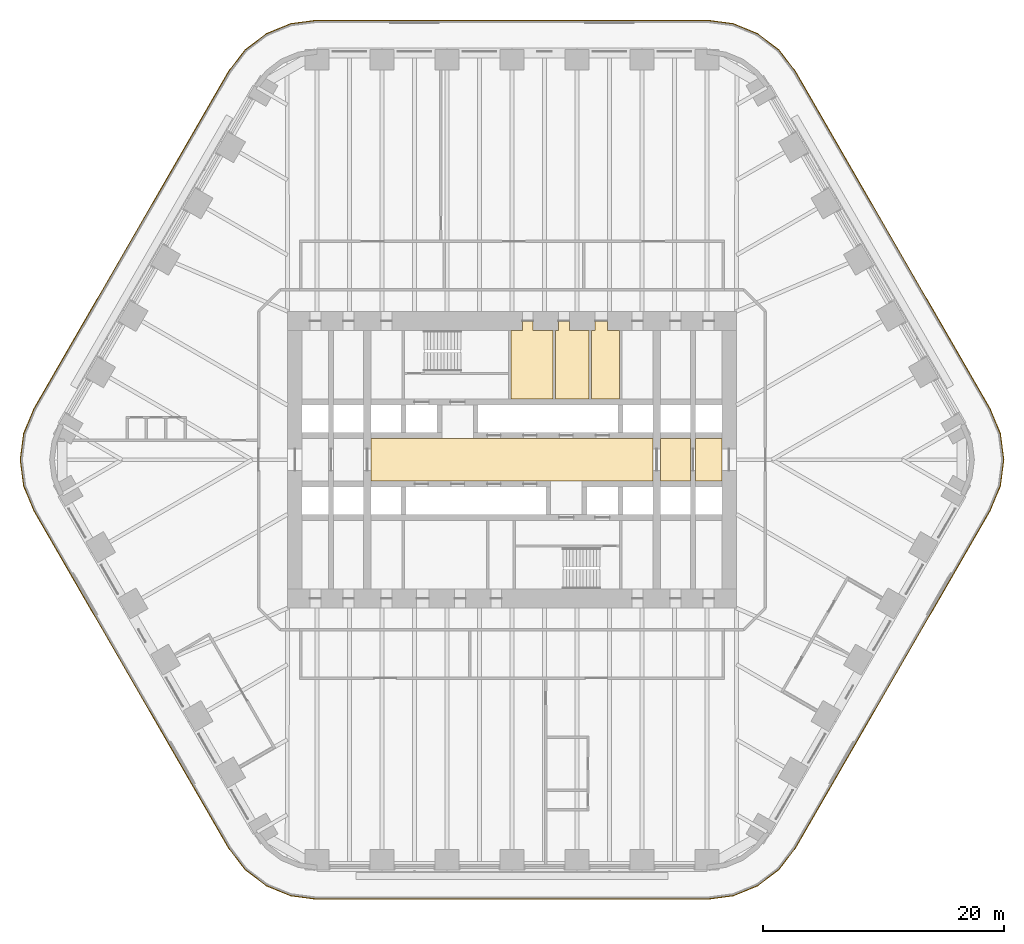
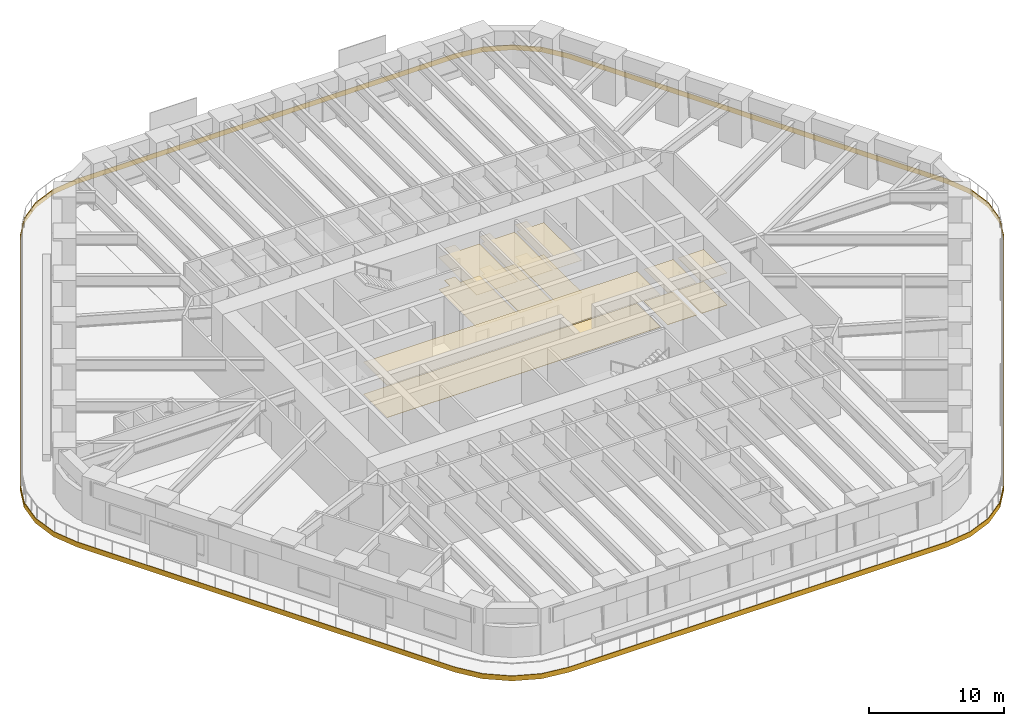
# One storey, part 22 of 23: 13 coverings.
"""IFC4 building model written with IfcOpenShell, lengths in metres."""

import ifcopenshell
import ifcopenshell.guid

model = None  # the IFC model being written
_history = None  # IfcOwnerHistory: only IFC2X3 demands one
_inside = {}  # id of a spatial element -> (the spatial element, [elements in it])
_under = {}  # id of a project, library or spatial element -> (it, [spatial elements below it])
_declared = {}  # id of a project -> (the project, [libraries it declares])
_typed = {}  # id of a type object -> (the type object, [elements of that type])
_made_of = {}  # id of a material, layer set ... -> (it, [elements and type objects made of it])


def new_model(schema):
    """Start an empty IFC model of exactly this schema.

    Asked for "IFC4X3", IfcOpenShell would pick the latest addendum, in which some entities
    have other attributes; the version numbers below select the first issue.
    IFC2X3 requires an IfcOwnerHistory on every rooted entity: one is made here for all.
    """
    global model, _history
    if schema == "IFC4X3":
        model = ifcopenshell.file(schema_version=(4, 3, 0, 0))
    else:
        model = ifcopenshell.file(schema=schema)
    _inside.clear()
    _under.clear()
    _declared.clear()
    _typed.clear()
    _made_of.clear()
    _history = None
    if model.schema == "IFC2X3":
        org = make("IfcOrganization", Name="unknown")
        user = make(
            "IfcPersonAndOrganization",
            ThePerson=make("IfcPerson", FamilyName="unknown"),
            TheOrganization=org,
        )
        app = make(
            "IfcApplication",
            ApplicationDeveloper=org,
            Version="unknown",
            ApplicationFullName="unknown",
            ApplicationIdentifier="unknown",
        )
        _history = make(
            "IfcOwnerHistory",
            OwningUser=user,
            OwningApplication=app,
            ChangeAction="ADDED",
            CreationDate=0,
        )
    return model


def make(cls, **values):
    """One entity of the class cls with the attributes given. An attribute that is None is left unset."""
    return model.create_entity(
        cls, **{name: value for name, value in values.items() if value is not None}
    )


def rooted(cls, **values):
    """An entity with a GlobalId (a new one), such as an element, a storey or a relation."""
    return make(cls, GlobalId=ifcopenshell.guid.new(), OwnerHistory=_history, **values)


def si_unit(unit_type, name, prefix=None):
    """IfcSIUnit, for example si_unit("LENGTHUNIT", "METRE", prefix="MILLI")."""
    return make("IfcSIUnit", UnitType=unit_type, Prefix=prefix, Name=name)


def assignment(units):
    """IfcUnitAssignment: the units of a project."""
    return None if units is None else make("IfcUnitAssignment", Units=units)


def point(xyz):
    """IfcCartesianPoint."""
    return None if xyz is None else make("IfcCartesianPoint", Coordinates=xyz)


def direction(xyz):
    """IfcDirection."""
    return None if xyz is None else make("IfcDirection", DirectionRatios=xyz)


def frame(location, z_axis=None, x_axis=None):
    """IfcAxis2Placement3D, a coordinate frame: its origin and axes. An axis left out is left unset."""
    return make(
        "IfcAxis2Placement3D",
        Location=point(location),
        Axis=direction(z_axis),
        RefDirection=direction(x_axis),
    )


def origin():
    """The frame at (0, 0, 0) with its axes left unset."""
    return frame((0.0, 0.0, 0.0))


def place(relative_to, where):
    """IfcLocalPlacement: puts the frame where relative to a parent placement (None: the world)."""
    return make(
        "IfcLocalPlacement", PlacementRelTo=relative_to, RelativePlacement=where
    )


def context(
    kind, dimensions, precision=None, world=None, true_north=None, identifier=None
):
    """IfcGeometricRepresentationContext, for example the 3D "Model" context."""
    return make(
        "IfcGeometricRepresentationContext",
        ContextIdentifier=identifier,
        ContextType=kind,
        CoordinateSpaceDimension=dimensions,
        Precision=precision,
        WorldCoordinateSystem=world,
        TrueNorth=true_north,
    )


def subcontext(parent, identifier, kind, view, scale=None):
    """IfcGeometricRepresentationSubContext, for example "Body" below "Model"."""
    return make(
        "IfcGeometricRepresentationSubContext",
        ContextIdentifier=identifier,
        ContextType=kind,
        ParentContext=parent,
        TargetScale=scale,
        TargetView=view,
    )


def project(units=None, contexts=None):
    """IfcProject with its units and contexts."""
    return rooted(
        "IfcProject",
        Name="project",
        RepresentationContexts=contexts,
        UnitsInContext=assignment(units),
    )


def spatial(cls, under=None, at=None, **own):
    """A site, building, storey or space (cls), placed at a placement, below another one or the project."""
    s = rooted(cls, ObjectPlacement=at, **own)
    if under is not None:
        _under.setdefault(under.id(), (under, []))[1].append(s)
    return s


def polyline(points):
    """IfcPolyline through the points."""
    return make("IfcPolyline", Points=[point(p) for p in points])


def outline(outer, holes=None, kind="AREA"):
    """IfcArbitraryClosedProfileDef: a profile drawn as a closed curve; with holes, ...WithVoids."""
    if holes is None:
        return make("IfcArbitraryClosedProfileDef", ProfileType=kind, OuterCurve=outer)
    return make(
        "IfcArbitraryProfileDefWithVoids",
        ProfileType=kind,
        OuterCurve=outer,
        InnerCurves=holes,
    )


def extrude(swept, where, along, depth):
    """IfcExtrudedAreaSolid: the profile swept, set in the frame where, extruded along a direction by depth."""
    return make(
        "IfcExtrudedAreaSolid",
        SweptArea=swept,
        Position=where,
        ExtrudedDirection=direction(along),
        Depth=depth,
    )


def shape(context_of_items, identifier, shape_type, items):
    """IfcShapeRepresentation: the items that make up one representation, for example the "Body"."""
    return make(
        "IfcShapeRepresentation",
        ContextOfItems=context_of_items,
        RepresentationIdentifier=identifier,
        RepresentationType=shape_type,
        Items=items,
    )


def material(Name=None, Category=None):
    """IfcMaterial."""
    return make("IfcMaterial", Name=Name, Category=Category)


def layer(
    of_material, thickness, ventilated=None, Name=None, Category=None, Priority=None
):
    """IfcMaterialLayer: one layer of a wall or slab, of a material (None: an air gap)."""
    return make(
        "IfcMaterialLayer",
        Material=of_material,
        LayerThickness=thickness,
        IsVentilated=ventilated,
        Name=Name,
        Category=Category,
        Priority=Priority,
    )


def layer_set(layers, Name=None):
    """IfcMaterialLayerSet."""
    return make("IfcMaterialLayerSet", MaterialLayers=layers, LayerSetName=Name)


def made_of(thing, what):
    """Note that an element or type object is made of a material, layer set ...; save() writes the relation."""
    if what is not None:
        _made_of.setdefault(what.id(), (what, []))[1].append(thing)
    return thing


def type_object(cls, material=None, **own):
    """A type object (cls), such as IfcWallType, which elements share."""
    return made_of(rooted(cls, **own), material)


def element(
    cls,
    number,
    at=None,
    inside=None,
    cuts=None,
    type_object=None,
    material=None,
    context=None,
    identifier="Body",
    shape_type=None,
    held_by="IfcProductDefinitionShape",
    body=None,
    shapes=None,
    **own,
):
    """One element of the class cls, such as IfcWall. Its Tag is "e" and its number.

    at: its placement. inside: the storey or other place that contains it. cuts: it is an
    opening in that element (IfcRelVoidsElement). A single representation is given by context,
    identifier, shape_type and body (its items); several are given by shapes. held_by: the class
    of the entity that holds the representations. save() writes the other relations.
    """
    e = rooted(cls, Tag="e%d" % number, ObjectPlacement=at, **own)
    if body is not None:
        shapes = [shape(context, identifier, shape_type, body)]
    if shapes is not None:
        e.Representation = make(held_by, Representations=shapes)
    if inside is not None:
        _inside.setdefault(inside.id(), (inside, []))[1].append(e)
    if cuts is not None:
        rooted(
            "IfcRelVoidsElement", RelatingBuildingElement=cuts, RelatedOpeningElement=e
        )
    if type_object is not None:
        _typed.setdefault(type_object.id(), (type_object, []))[1].append(e)
    return made_of(e, material)


def aggregate(whole, parts):
    """IfcRelAggregates: a whole, such as a stair, and the parts it consists of."""
    return rooted("IfcRelAggregates", RelatingObject=whole, RelatedObjects=parts)


def save(model, path):
    """Write the relations noted so far, then the file.

    IfcRelAggregates (storeys below a building ...), IfcRelContainedInSpatialStructure (elements
    in a storey), IfcRelDefinesByType, IfcRelAssociatesMaterial and IfcRelDeclares: one each for
    every whole, place, type object, material and project.
    """
    for whole, parts in _under.values():
        aggregate(whole, parts)
    for where, things in _inside.values():
        rooted(
            "IfcRelContainedInSpatialStructure",
            RelatedElements=things,
            RelatingStructure=where,
        )
    for kind, things in _typed.values():
        rooted("IfcRelDefinesByType", RelatedObjects=things, RelatingType=kind)
    for what, things in _made_of.values():
        rooted("IfcRelAssociatesMaterial", RelatedObjects=things, RelatingMaterial=what)
    for by, libraries in _declared.values():
        rooted("IfcRelDeclares", RelatingContext=by, RelatedDefinitions=libraries)
    model.write(path)


model = new_model("IFC4")

# Units and contexts
model_context = context("Model", 3, precision=1e-05, world=origin(), true_north=direction((0.0, 1.0)))
body_context = subcontext(model_context, "Body", "Model", "MODEL_VIEW")
ifc_project = project(units=[si_unit("LENGTHUNIT", "METRE"), si_unit("AREAUNIT", "SQUARE_METRE"), si_unit("VOLUMEUNIT", "CUBIC_METRE"), si_unit("PLANEANGLEUNIT", "RADIAN"), si_unit("MASSUNIT", "GRAM", prefix="KILO")], contexts=[model_context])

# Site, building, storey
site_placement = place(None, origin())
site = spatial("IfcSite", under=ifc_project, at=site_placement, CompositionType="ELEMENT")
building_placement = place(site_placement, origin())
building = spatial("IfcBuilding", under=site, at=building_placement, Name="Tarfa Lantern Tower", CompositionType="ELEMENT")
storey_placement = place(building_placement, frame((0.0, 0.0, 82.300048828125)))
storey = spatial("IfcBuildingStorey", under=building, at=storey_placement, Name="L18", CompositionType="ELEMENT", Elevation=82.300048828125)

# Coverings
ifc_material_1 = material(Name="Moisture-resistant plasterboard", Category="finish")
ifc_layer_1 = layer(ifc_material_1, 0.014892578125)
ifc_layer_set_1 = layer_set([ifc_layer_1], Name="CL2 MOISTURE-RESISTANT PLASTERBOARD CEILING 15")
covering_type_1 = type_object("IfcCoveringType", Name="CL2 MOISTURE-RESISTANT PLASTERBOARD CEILING 15", PredefinedType="CEILING", material=ifc_layer_set_1)
covering_1_placement = place(storey_placement, frame((0.0, 0.0, 2.89990234375)))
element("IfcCovering", 1, at=covering_1_placement, inside=storey, type_object=covering_type_1, Name="Ceiling L18-09", PredefinedType="CEILING", context=body_context, shape_type="SweptSolid", body=[
    extrude(outline(polyline([(0.85009765625, 10.699951171875), (-0.10009765625, 10.699951171875), (-0.10009765625, 5.050048828125), (3.39990234375, 5.050048828125), (3.39990234375, 10.699951171875), (1.75, 10.699951171875), (1.75, 11.5), (0.85009765625, 11.5), (0.85009765625, 11.5), (0.85009765625, 10.699951171875)])), origin(), (0.0, 0.0, 1.0), 0.01513671875),
])
covering_2_placement = place(storey_placement, frame((0.0, 0.0, 2.89990234375)))
element("IfcCovering", 2, at=covering_2_placement, inside=storey, type_object=covering_type_1, Name="Ceiling L18-10", PredefinedType="CEILING", context=body_context, shape_type="SweptSolid", body=[
    extrude(outline(polyline([(3.60009765625, 5.050048828125), (6.39990234375, 5.050048828125), (6.39990234375, 10.699951171875), (4.75, 10.699951171875), (4.75, 11.5), (3.85009765625, 11.5), (3.85009765625, 10.699951171875), (3.60009765625, 10.699951171875), (3.60009765625, 5.050048828125)])), origin(), (0.0, 0.0, 1.0), 0.01513671875),
])
covering_3_placement = place(storey_placement, frame((0.0, 0.0, 2.89990234375)))
element("IfcCovering", 3, at=covering_3_placement, inside=storey, type_object=covering_type_1, Name="Ceiling L18-11", PredefinedType="CEILING", context=body_context, shape_type="SweptSolid", body=[
    extrude(outline(polyline([(6.60009765625, 5.050048828125), (8.89990234375, 5.050048828125), (8.89990234375, 10.699951171875), (7.89990234375, 10.699951171875), (7.89990234375, 11.5), (6.89990234375, 11.5), (6.89990234375, 10.699951171875), (6.60009765625, 10.699951171875), (6.60009765625, 5.050048828125)])), origin(), (0.0, 0.0, 1.0), 0.01513671875),
])
ifc_material_2 = material(Name="Powder-coated aluminium panel", Category="aluminium")
ifc_layer_2 = layer(ifc_material_2, 0.030029296875)
ifc_layer_set_2 = layer_set([ifc_layer_2], Name="CL3 METAL PANEL CEILING 30")
covering_type_2 = type_object("IfcCoveringType", Name="CL3 METAL PANEL CEILING 30", PredefinedType="CEILING", material=ifc_layer_set_2)
covering_4_placement = place(storey_placement, frame((0.0, 0.0, 2.89990234375)))
element("IfcCovering", 4, at=covering_4_placement, inside=storey, type_object=covering_type_2, Name="Ceiling L18-03", PredefinedType="CEILING", context=body_context, shape_type="SweptSolid", body=[
    extrude(outline(polyline([(-11.699951171875, -1.75), (11.699951171875, -1.75), (11.699951171875, 1.75), (-11.699951171875, 1.75), (-11.699951171875, -1.75)])), origin(), (0.0, 0.0, 1.0), 0.030029296875),
])
covering_5_placement = place(storey_placement, frame((0.0, 0.0, 2.89990234375)))
element("IfcCovering", 5, at=covering_5_placement, inside=storey, type_object=covering_type_2, Name="Ceiling L18-04", PredefinedType="CEILING", context=body_context, shape_type="SweptSolid", body=[
    extrude(outline(polyline([(12.300048828125, -1.75), (14.800048828125, -1.75), (14.800048828125, 1.75), (12.300048828125, 1.75), (12.300048828125, -1.75)])), origin(), (0.0, 0.0, 1.0), 0.030029296875),
])
covering_6_placement = place(storey_placement, frame((0.0, 0.0, 2.89990234375)))
element("IfcCovering", 6, at=covering_6_placement, inside=storey, type_object=covering_type_2, Name="Ceiling L18-05", PredefinedType="CEILING", context=body_context, shape_type="SweptSolid", body=[
    extrude(outline(polyline([(15.199951171875, -1.75), (17.39990234375, -1.75), (17.39990234375, 1.75), (15.199951171875, 1.75), (15.199951171875, -1.75)])), origin(), (0.0, 0.0, 1.0), 0.030029296875),
])
ifc_material_3 = material(Name="Honed limestone flooring", Category="masonry")
ifc_layer_3 = layer(ifc_material_3, 0.030029296875)
ifc_layer_set_3 = layer_set([ifc_layer_3], Name="FL2 STONE FLOORING 30")
covering_type_3 = type_object("IfcCoveringType", Name="FL2 STONE FLOORING 30", PredefinedType="FLOORING", material=ifc_layer_set_3)
covering_7_placement = place(storey_placement, origin())
element("IfcCovering", 7, at=covering_7_placement, inside=storey, type_object=covering_type_3, Name="Floor finish L18-03", PredefinedType="FLOORING", context=body_context, shape_type="SweptSolid", body=[
    extrude(outline(polyline([(-11.699951171875, -1.75), (11.699951171875, -1.75), (11.699951171875, 1.75), (-11.699951171875, 1.75), (-11.699951171875, -1.75)])), origin(), (0.0, 0.0, 1.0), 0.030029296875),
])
covering_8_placement = place(storey_placement, origin())
element("IfcCovering", 8, at=covering_8_placement, inside=storey, type_object=covering_type_3, Name="Floor finish L18-04", PredefinedType="FLOORING", context=body_context, shape_type="SweptSolid", body=[
    extrude(outline(polyline([(12.300048828125, -1.75), (14.800048828125, -1.75), (14.800048828125, 1.75), (12.300048828125, 1.75), (12.300048828125, -1.75)])), origin(), (0.0, 0.0, 1.0), 0.030029296875),
])
covering_9_placement = place(storey_placement, origin())
element("IfcCovering", 9, at=covering_9_placement, inside=storey, type_object=covering_type_3, Name="Floor finish L18-05", PredefinedType="FLOORING", context=body_context, shape_type="SweptSolid", body=[
    extrude(outline(polyline([(15.199951171875, -1.75), (17.39990234375, -1.75), (17.39990234375, 1.75), (15.199951171875, 1.75), (15.199951171875, -1.75)])), origin(), (0.0, 0.0, 1.0), 0.030029296875),
])
ifc_material_4 = material(Name="Porcelain floor tile", Category="finish")
ifc_layer_4 = layer(ifc_material_4, 0.011962890625)
ifc_layer_set_4 = layer_set([ifc_layer_4], Name="FL3 CERAMIC TILE 12")
covering_type_4 = type_object("IfcCoveringType", Name="FL3 CERAMIC TILE 12", PredefinedType="FLOORING", material=ifc_layer_set_4)
covering_10_placement = place(storey_placement, origin())
element("IfcCovering", 10, at=covering_10_placement, inside=storey, type_object=covering_type_4, Name="Floor finish L18-09", PredefinedType="FLOORING", context=body_context, shape_type="SweptSolid", body=[
    extrude(outline(polyline([(0.85009765625, 10.699951171875), (-0.10009765625, 10.699951171875), (-0.10009765625, 5.050048828125), (3.39990234375, 5.050048828125), (3.39990234375, 10.699951171875), (1.75, 10.699951171875), (1.75, 11.5), (0.85009765625, 11.5), (0.85009765625, 11.5), (0.85009765625, 10.699951171875)])), origin(), (0.0, 0.0, 1.0), 0.011962890625),
])
covering_11_placement = place(storey_placement, origin())
element("IfcCovering", 11, at=covering_11_placement, inside=storey, type_object=covering_type_4, Name="Floor finish L18-10", PredefinedType="FLOORING", context=body_context, shape_type="SweptSolid", body=[
    extrude(outline(polyline([(3.60009765625, 5.050048828125), (6.39990234375, 5.050048828125), (6.39990234375, 10.699951171875), (4.75, 10.699951171875), (4.75, 11.5), (3.85009765625, 11.5), (3.85009765625, 10.699951171875), (3.60009765625, 10.699951171875), (3.60009765625, 5.050048828125)])), origin(), (0.0, 0.0, 1.0), 0.011962890625),
])
covering_12_placement = place(storey_placement, origin())
element("IfcCovering", 12, at=covering_12_placement, inside=storey, type_object=covering_type_4, Name="Floor finish L18-11", PredefinedType="FLOORING", context=body_context, shape_type="SweptSolid", body=[
    extrude(outline(polyline([(6.60009765625, 5.050048828125), (8.89990234375, 5.050048828125), (8.89990234375, 10.699951171875), (7.89990234375, 10.699951171875), (7.89990234375, 11.5), (6.89990234375, 11.5), (6.89990234375, 10.699951171875), (6.60009765625, 10.699951171875), (6.60009765625, 5.050048828125)])), origin(), (0.0, 0.0, 1.0), 0.011962890625),
])
ifc_material_5 = material(Name="Limestone cladding on brackets", Category="masonry")
ifc_layer_5 = layer(ifc_material_5, 0.050048828125)
ifc_layer_set_5 = layer_set([ifc_layer_5], Name="SB1 STONE BAND CLADDING 50")
covering_type_5 = type_object("IfcCoveringType", Name="SB1 STONE BAND CLADDING 50", PredefinedType="CLADDING", material=ifc_layer_set_5)
covering_13_placement = place(storey_placement, frame((0.0, 0.0, -0.400146484375)))
element("IfcCovering", 13, at=covering_13_placement, inside=storey, type_object=covering_type_5, Name="Stone band", PredefinedType="CLADDING", context=body_context, shape_type="SweptSolid", body=[
    extrude(outline(polyline([(39.6494140625, 4.22509765625), (23.483642578125, 32.22509765625), (22.140869140625, 33.97509765625), (20.390869140625, 35.31787109375), (18.352783203125, 36.162109375), (16.165771484375, 36.449951171875), (-16.165771484375, 36.449951171875), (-18.352783203125, 36.162109375), (-20.390869140625, 35.31787109375), (-22.140869140625, 33.97509765625), (-23.483642578125, 32.22509765625), (-39.6494140625, 4.22509765625), (-40.49365234375, 2.18701171875), (-40.781494140625, 0.0), (-40.49365234375, -2.18701171875), (-39.6494140625, -4.22509765625), (-23.483642578125, -32.22509765625), (-22.140869140625, -33.97509765625), (-20.390869140625, -35.31787109375), (-18.352783203125, -36.162109375), (-16.165771484375, -36.449951171875), (16.165771484375, -36.449951171875), (18.352783203125, -36.162109375), (20.390869140625, -35.31787109375), (22.140869140625, -33.97509765625), (23.483642578125, -32.22509765625), (39.6494140625, -4.22509765625), (40.49365234375, -2.18701171875), (40.781494140625, 0.0), (40.49365234375, 2.18701171875), (39.6494140625, 4.22509765625)]), holes=[polyline([(39.606201171875, 4.199951171875), (23.4404296875, 32.199951171875), (22.10546875, 33.939697265625), (20.36572265625, 35.274658203125), (18.33984375, 36.11376953125), (16.165771484375, 36.39990234375), (-16.165771484375, 36.39990234375), (-18.33984375, 36.11376953125), (-20.36572265625, 35.274658203125), (-22.10546875, 33.939697265625), (-23.4404296875, 32.199951171875), (-39.606201171875, 4.199951171875), (-40.4453125, 2.174072265625), (-40.731689453125, 0.0), (-40.4453125, -2.174072265625), (-39.606201171875, -4.199951171875), (-23.4404296875, -32.199951171875), (-22.10546875, -33.939697265625), (-20.36572265625, -35.274658203125), (-18.33984375, -36.11376953125), (-16.165771484375, -36.39990234375), (16.165771484375, -36.39990234375), (18.33984375, -36.11376953125), (20.36572265625, -35.274658203125), (22.10546875, -33.939697265625), (23.4404296875, -32.199951171875), (39.606201171875, -4.199951171875), (40.4453125, -2.174072265625), (40.731689453125, 0.0), (40.4453125, 2.174072265625), (39.606201171875, 4.199951171875)])]), origin(), (0.0, 0.0, 1.0), 0.4501953125),
])

save(model, "model.ifc")
